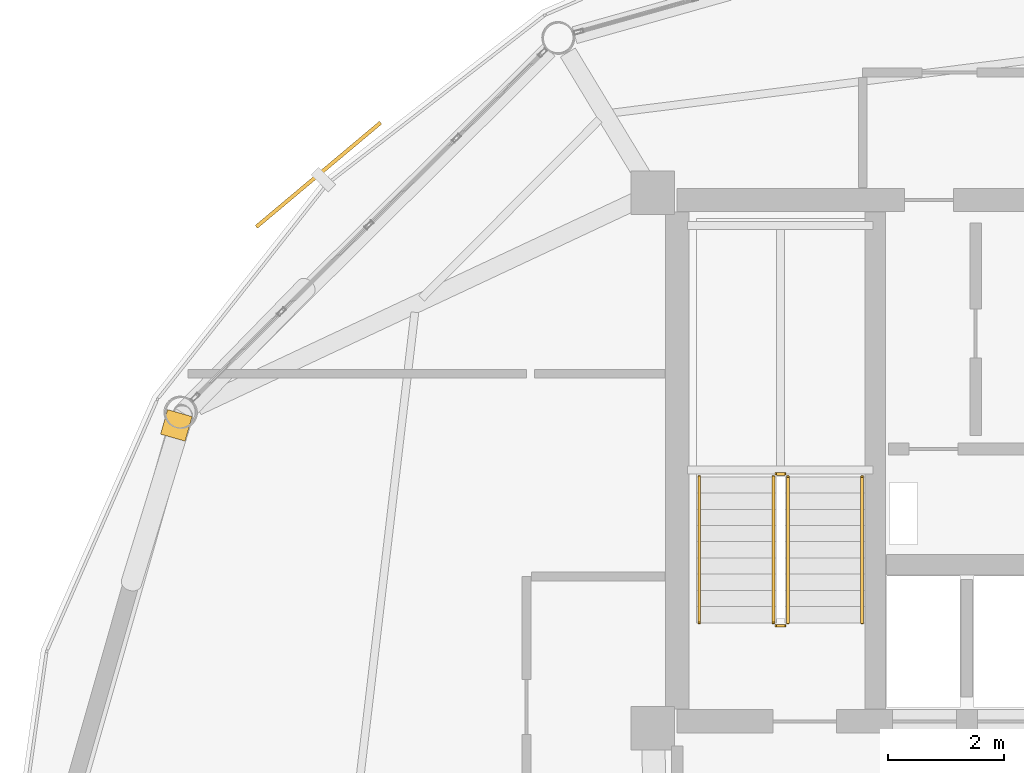
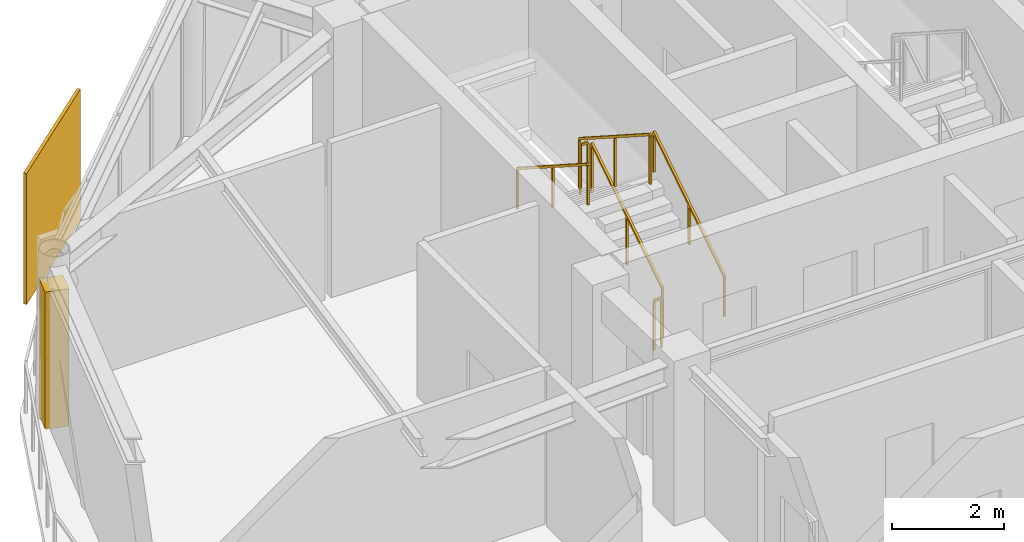
# One storey, part 23 of 25: 6 railings, 1 covering, 1 shading device.
"""IFC4 building model written with IfcOpenShell, lengths in metres."""

from ifc_helpers import new_model, si_unit, direction, frame, origin, origin_2d, place, context, subcontext, project, spatial, rectangle, extrude, source, transform, mapped, material, layer, layer_set, type_object, type_shapes, element, save


model = new_model("IFC4")

# Units and contexts
model_context = context("Model", 3, precision=1e-05, world=origin(), true_north=direction((0.0, 1.0)))
body_context = subcontext(model_context, "Body", "Model", "MODEL_VIEW")
ifc_project = project(units=[si_unit("LENGTHUNIT", "METRE"), si_unit("AREAUNIT", "SQUARE_METRE"), si_unit("VOLUMEUNIT", "CUBIC_METRE"), si_unit("PLANEANGLEUNIT", "RADIAN"), si_unit("MASSUNIT", "GRAM", prefix="KILO")], contexts=[model_context])

# Site, building, storey
site_placement = place(None, origin())
site = spatial("IfcSite", under=ifc_project, at=site_placement, CompositionType="ELEMENT")
building_placement = place(site_placement, origin())
building = spatial("IfcBuilding", under=site, at=building_placement, Name="Varnakorn Sky Granary", CompositionType="ELEMENT")
storey_placement = place(building_placement, frame((0.0, 0.0, 277.800048828125)))
storey = spatial("IfcBuildingStorey", under=building, at=storey_placement, Name="L71", CompositionType="ELEMENT", Elevation=277.800048828125)

# Railings
ifc_material_1 = material(Name="Brushed Stainless Steel 316", Category="steel")
railing_type_1 = type_object("IfcRailingType", Name="RL-STAIR-1100", PredefinedType="GUARDRAIL", material=ifc_material_1)
railing_1_placement = place(storey_placement, frame((-0.090087890625, 5.199951171875, 0.179931640625)))
element("IfcRailing", 1, at=railing_1_placement, inside=storey, type_object=railing_type_1, Name="L71 ST-1 stair guard 1", PredefinedType="GUARDRAIL", context=body_context, shape_type="SweptSolid", body=[
    extrude(rectangle(XDim=0.048095703125, YDim=0.048095703125, at=origin_2d()), frame((0.0, 0.0, 1.076171875), z_axis=(0.0, 0.841162588446, 0.540782303519), x_axis=(-1.0, 0.0, 0.0)), (0.0, 0.0, 1.0), 2.995849609375),
    extrude(rectangle(XDim=0.0419921875, YDim=0.0419921875, at=origin_2d()), origin(), (0.0, 0.0, 1.0), 1.048095703125),
    extrude(rectangle(XDim=0.0419921875, YDim=0.0419921875, at=origin_2d()), frame((0.0, 1.260009765625, 0.81005859375)), (0.0, 0.0, 1.0), 1.048095703125),
    extrude(rectangle(XDim=0.0419921875, YDim=0.0419921875, at=origin_2d()), frame((0.0, 2.52001953125, 1.6201171875)), (0.0, 0.0, 1.0), 1.048095703125),
])
railing_2_placement = place(storey_placement, frame((-0.139892578125, 7.77001953125, 1.800048828125)))
element("IfcRailing", 2, at=railing_2_placement, inside=storey, type_object=railing_type_1, Name="L71 ST-1 stair guard 2", PredefinedType="GUARDRAIL", context=body_context, shape_type="SweptSolid", body=[
    extrude(rectangle(XDim=0.048095703125, YDim=0.048095703125, at=origin_2d()), frame((0.0, 0.0, 1.076171875), z_axis=(-1.0, 0.0, 0.0), x_axis=(0.0, -1.0, 0.0)), (0.0, 0.0, 1.0), 0.150146484375),
    extrude(rectangle(XDim=0.0419921875, YDim=0.0419921875, at=origin_2d()), origin(), (0.0, 0.0, 1.0), 1.048095703125),
    extrude(rectangle(XDim=0.0419921875, YDim=0.0419921875, at=origin_2d()), frame((-0.150146484375, 0.0, 0.0)), (0.0, 0.0, 1.0), 1.048095703125),
])
railing_3_placement = place(storey_placement, frame((-0.340087890625, 7.719970703125, 1.97998046875)))
element("IfcRailing", 3, at=railing_3_placement, inside=storey, type_object=railing_type_1, Name="L71 ST-1 stair guard 3", PredefinedType="GUARDRAIL", context=body_context, shape_type="SweptSolid", body=[
    extrude(rectangle(XDim=0.048095703125, YDim=0.048095703125, at=origin_2d()), frame((0.0, 0.0, 1.076171875), z_axis=(0.0, -0.841199657755, 0.540724639528), x_axis=(1.0, 0.0, 0.0)), (0.0, 0.0, 1.0), 2.995849609375),
    extrude(rectangle(XDim=0.0419921875, YDim=0.0419921875, at=origin_2d()), origin(), (0.0, 0.0, 1.0), 1.048095703125),
    extrude(rectangle(XDim=0.0419921875, YDim=0.0419921875, at=origin_2d()), frame((0.0, -1.260009765625, 0.81005859375)), (0.0, 0.0, 1.0), 1.048095703125),
    extrude(rectangle(XDim=0.0419921875, YDim=0.0419921875, at=origin_2d()), frame((0.0, -2.52001953125, 1.619873046875)), (0.0, 0.0, 1.0), 1.048095703125),
])
railing_4_placement = place(storey_placement, frame((-0.139892578125, 5.14990234375, 0.0)))
element("IfcRailing", 4, at=railing_4_placement, inside=storey, type_object=railing_type_1, Name="L71 ST-1 stair guard 4", PredefinedType="GUARDRAIL", context=body_context, shape_type="SweptSolid", body=[
    extrude(rectangle(XDim=0.048095703125, YDim=0.048095703125, at=origin_2d()), frame((0.0, 0.0, 1.076171875), z_axis=(-1.0, 0.0, 0.0), x_axis=(0.0, -1.0, 0.0)), (0.0, 0.0, 1.0), 0.150146484375),
    extrude(rectangle(XDim=0.0419921875, YDim=0.0419921875, at=origin_2d()), origin(), (0.0, 0.0, 1.0), 1.048095703125),
    extrude(rectangle(XDim=0.0419921875, YDim=0.0419921875, at=origin_2d()), frame((-0.150146484375, 0.0, 0.0)), (0.0, 0.0, 1.0), 1.048095703125),
])
railing_type_2 = type_object("IfcRailingType", Name="RL-STAIR-920", PredefinedType="HANDRAIL", material=ifc_material_1)
railing_5_placement = place(storey_placement, frame((1.18994140625, 5.199951171875, 0.179931640625)))
element("IfcRailing", 5, at=railing_5_placement, inside=storey, type_object=railing_type_2, Name="L71 ST-1 stair handrail 1", PredefinedType="HANDRAIL", context=body_context, shape_type="SweptSolid", body=[
    extrude(rectangle(XDim=0.048095703125, YDim=0.048095703125, at=origin_2d()), frame((0.0, 0.0, 0.8759765625), z_axis=(0.0, 0.841162588446, 0.540782303519), x_axis=(-1.0, 0.0, 0.0)), (0.0, 0.0, 1.0), 2.995849609375),
    extrude(rectangle(XDim=0.0419921875, YDim=0.0419921875, at=origin_2d()), origin(), (0.0, 0.0, 1.0), 0.847900390625),
    extrude(rectangle(XDim=0.0419921875, YDim=0.0419921875, at=origin_2d()), frame((0.0, 1.260009765625, 0.81005859375)), (0.0, 0.0, 1.0), 0.847900390625),
    extrude(rectangle(XDim=0.0419921875, YDim=0.0419921875, at=origin_2d()), frame((0.0, 2.52001953125, 1.6201171875)), (0.0, 0.0, 1.0), 0.847900390625),
])
railing_6_placement = place(storey_placement, frame((-1.6201171875, 7.719970703125, 1.97998046875)))
element("IfcRailing", 6, at=railing_6_placement, inside=storey, type_object=railing_type_2, Name="L71 ST-1 stair handrail 2", PredefinedType="HANDRAIL", context=body_context, shape_type="SweptSolid", body=[
    extrude(rectangle(XDim=0.048095703125, YDim=0.048095703125, at=origin_2d()), frame((0.0, 0.0, 0.8759765625), z_axis=(0.0, -0.841199657755, 0.540724639528), x_axis=(1.0, 0.0, 0.0)), (0.0, 0.0, 1.0), 2.995849609375),
    extrude(rectangle(XDim=0.0419921875, YDim=0.0419921875, at=origin_2d()), origin(), (0.0, 0.0, 1.0), 0.847900390625),
    extrude(rectangle(XDim=0.0419921875, YDim=0.0419921875, at=origin_2d()), frame((0.0, -1.260009765625, 0.81005859375)), (0.0, 0.0, 1.0), 0.847900390625),
    extrude(rectangle(XDim=0.0419921875, YDim=0.0419921875, at=origin_2d()), frame((0.0, -2.52001953125, 1.619873046875)), (0.0, 0.0, 1.0), 0.847900390625),
])

# Covering
ifc_material_2 = material(Name="Anodised Bronze Aluminium Alloy 6063-T6", Category="aluminium")
ifc_layer = layer(ifc_material_2, 0.050048828125, Name="Anodised Bronze Aluminium Alloy 6063-T6")
ifc_layer_set = layer_set([ifc_layer], Name="Anodised Bronze Aluminium Alloy 6063-T6")
covering_type = type_object("IfcCoveringType", Name="CV-CLAD-50", PredefinedType="CLADDING", material=ifc_layer_set)
shared_shape_1 = source(origin(), body_context, "Body", "SweptSolid", [
    extrude(rectangle(XDim=0.43994140625, YDim=0.43994140625, at=origin_2d()), origin(), (0.0, 0.0, 1.0), 2.989990234375),
])
type_shapes(covering_type, [shared_shape_1])
covering_placement = place(storey_placement, frame((-10.645263671875, 8.60791015625, -0.02001953125), z_axis=(0.0, 0.0, 1.0), x_axis=(0.274630573972, 0.961549815579, 0.0)))
element("IfcCovering", 7, at=covering_placement, inside=storey, type_object=covering_type, Name="Bronze Corner Pilaster Closure L71-P06-B", PredefinedType="CLADDING", context=body_context, shape_type="MappedRepresentation", body=[
    mapped(shared_shape_1, transform((0.0, 0.0, 0.0), x_axis=(1.0, 0.0, 0.0), y_axis=(0.0, 1.0, 0.0), z_axis=(0.0, 0.0, 1.0), scale=1.0)),
])

# Shading device
shading_device_type = type_object("IfcShadingDeviceType", Name="SH-SCR-03", PredefinedType="USERDEFINED", material=ifc_material_2)
shared_shape_2 = source(origin(), body_context, "Body", "SweptSolid", [
    extrude(rectangle(XDim=2.800048828125, YDim=0.06494140625, at=origin_2d()), origin(), (0.0, 0.0, 1.0), 2.85009765625),
])
type_shapes(shading_device_type, [shared_shape_2])
shading_device_placement = place(storey_placement, frame((-8.19189453125, 12.93359375, -0.0400390625), z_axis=(0.0, 0.0, 1.0), x_axis=(-0.766171290814, -0.642636408191, 0.0)))
element("IfcShadingDevice", 8, at=shading_device_placement, inside=storey, type_object=shading_device_type, Name="Perforated Bronze Solar Screen Panel SCREEN L71-05", ObjectType="SCREEN", PredefinedType="USERDEFINED", context=body_context, shape_type="MappedRepresentation", body=[
    mapped(shared_shape_2, transform((0.0, 0.0, 0.0), x_axis=(1.0, 0.0, 0.0), y_axis=(0.0, 1.0, 0.0), z_axis=(0.0, 0.0, 1.0), scale=1.0)),
])

save(model, "model.ifc")
